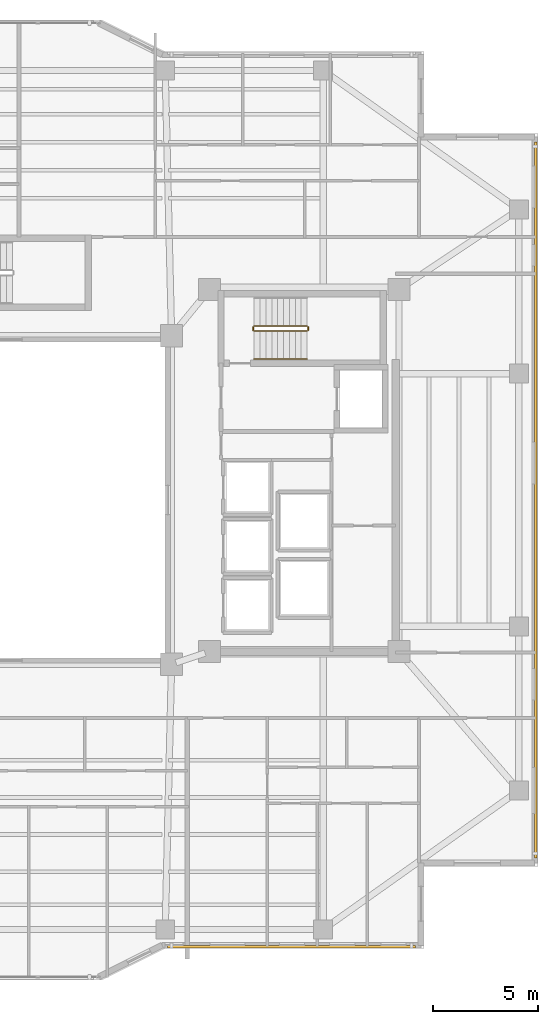
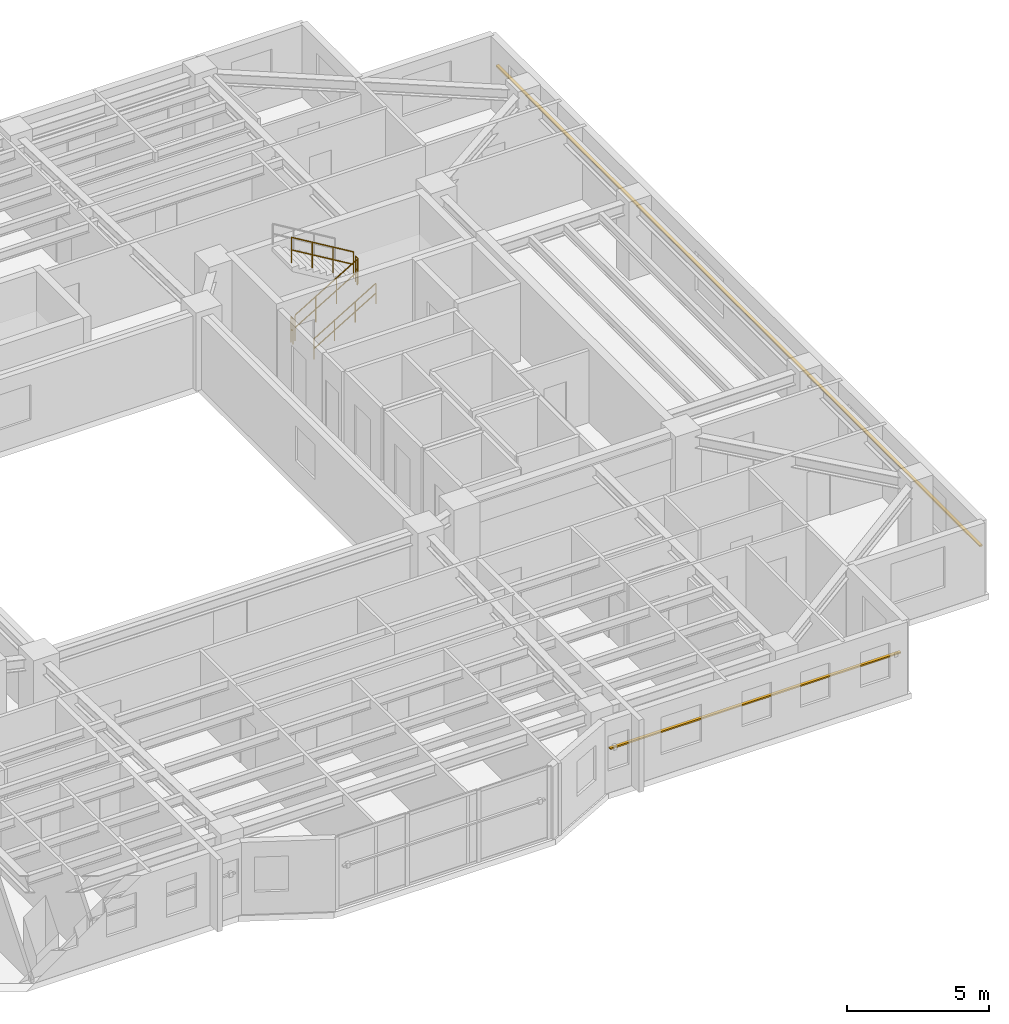
# One storey, part 15 of 16: 5 railings, 2 shading devices.
"""IFC4 building model written with IfcOpenShell, lengths in metres."""

from ifc_helpers import new_model, si_unit, direction, frame, origin, origin_2d, place, context, subcontext, project, spatial, rectangle, circle, extrude, material, material_profile, profile_set, type_object, element, save


model = new_model("IFC4")

# Units and contexts
model_context = context("Model", 3, precision=1e-05, world=origin(), true_north=direction((0.0, 1.0)))
body_context = subcontext(model_context, "Body", "Model", "MODEL_VIEW")
ifc_project = project(units=[si_unit("LENGTHUNIT", "METRE"), si_unit("AREAUNIT", "SQUARE_METRE"), si_unit("VOLUMEUNIT", "CUBIC_METRE"), si_unit("PLANEANGLEUNIT", "RADIAN"), si_unit("MASSUNIT", "GRAM", prefix="KILO")], contexts=[model_context])

# Site, building, storey
site_placement = place(None, origin())
site = spatial("IfcSite", under=ifc_project, at=site_placement, CompositionType="ELEMENT")
building_placement = place(site_placement, origin())
building = spatial("IfcBuilding", under=site, at=building_placement, Name="Tarnavaz Court Tower", CompositionType="ELEMENT")
storey_placement = place(building_placement, frame((0.0, 0.0, 146.0)))
storey = spatial("IfcBuildingStorey", under=building, at=storey_placement, Name="L39", CompositionType="ELEMENT", Elevation=146.0)

# Railings
ifc_material_1 = material(Name="Brushed Stainless Steel", Category="steel")
railing_type_1 = type_object("IfcRailingType", Name="RL-HANDRAIL-900", PredefinedType="HANDRAIL", material=ifc_material_1)
railing_1_placement = place(storey_placement, frame((11.719970703125, 6.699951171875, 0.16748046875)))
element("IfcRailing", 1, at=railing_1_placement, inside=storey, type_object=railing_type_1, Name="L39 ST-E1 stair handrail 1", PredefinedType="HANDRAIL", context=body_context, shape_type="SweptSolid", body=[
    extrude(circle(Radius=0.02392578125, at=origin_2d()), frame((0.0, 0.0, 0.8759765625), z_axis=(0.858159760407, 0.0, 0.513382728203), x_axis=(0.0, 1.0, 0.0)), (0.0, 0.0, 1.0), 2.9365234375),
    extrude(circle(Radius=0.02392578125, at=origin_2d()), frame((0.0, 0.0, 0.449951171875), z_axis=(0.858159760407, 0.0, 0.513382728203), x_axis=(0.0, 1.0, 0.0)), (0.0, 0.0, 1.0), 2.9365234375),
    extrude(circle(Radius=0.02099609375, at=origin_2d()), origin(), (0.0, 0.0, 1.0), 0.851806640625),
    extrude(circle(Radius=0.02099609375, at=origin_2d()), frame((0.840087890625, 0.0, 0.50244140625)), (0.0, 0.0, 1.0), 0.851806640625),
    extrude(circle(Radius=0.02099609375, at=origin_2d()), frame((1.679931640625, 0.0, 1.005126953125)), (0.0, 0.0, 1.0), 0.851806640625),
    extrude(circle(Radius=0.02099609375, at=origin_2d()), frame((2.52001953125, 0.0, 1.507568359375)), (0.0, 0.0, 1.0), 0.851806640625),
])
ifc_material_2 = material(Name="Galvanized Painted Tubular Steel", Category="steel")
railing_type_2 = type_object("IfcRailingType", Name="RL-STGUARD-1120", PredefinedType="GUARDRAIL", material=ifc_material_2)
railing_2_placement = place(storey_placement, frame((11.719970703125, 8.02001953125, 0.16748046875)))
element("IfcRailing", 2, at=railing_2_placement, inside=storey, type_object=railing_type_2, Name="L39 ST-E1 stair guard 1", PredefinedType="GUARDRAIL", context=body_context, shape_type="SweptSolid", body=[
    extrude(circle(Radius=0.02392578125, at=origin_2d()), frame((0.0, 0.0, 1.09619140625), z_axis=(0.858159760407, 0.0, 0.513382728203), x_axis=(0.0, 1.0, 0.0)), (0.0, 0.0, 1.0), 2.9365234375),
    extrude(circle(Radius=0.02392578125, at=origin_2d()), frame((0.0, 0.0, 0.56005859375), z_axis=(0.858159760407, 0.0, 0.513382728203), x_axis=(0.0, 1.0, 0.0)), (0.0, 0.0, 1.0), 2.9365234375),
    extrude(circle(Radius=0.02099609375, at=origin_2d()), origin(), (0.0, 0.0, 1.0), 1.072021484375),
    extrude(circle(Radius=0.02099609375, at=origin_2d()), frame((0.840087890625, 0.0, 0.50244140625)), (0.0, 0.0, 1.0), 1.072021484375),
    extrude(circle(Radius=0.02099609375, at=origin_2d()), frame((1.679931640625, 0.0, 1.005126953125)), (0.0, 0.0, 1.0), 1.072021484375),
    extrude(circle(Radius=0.02099609375, at=origin_2d()), frame((2.52001953125, 0.0, 1.507568359375)), (0.0, 0.0, 1.0), 1.072021484375),
])
railing_3_placement = place(storey_placement, frame((14.2900390625, 8.070068359375, 1.675048828125)))
element("IfcRailing", 3, at=railing_3_placement, inside=storey, type_object=railing_type_2, Name="L39 ST-E1 stair guard 2", PredefinedType="GUARDRAIL", context=body_context, shape_type="SweptSolid", body=[
    extrude(circle(Radius=0.02392578125, at=origin_2d()), frame((0.0, 0.0, 1.09619140625), z_axis=(0.0, 1.0, 0.0), x_axis=(-1.0, 0.0, 0.0)), (0.0, 0.0, 1.0), 0.14990234375),
    extrude(circle(Radius=0.02392578125, at=origin_2d()), frame((0.0, 0.0, 0.56005859375), z_axis=(0.0, 1.0, 0.0), x_axis=(-1.0, 0.0, 0.0)), (0.0, 0.0, 1.0), 0.14990234375),
    extrude(circle(Radius=0.02099609375, at=origin_2d()), origin(), (0.0, 0.0, 1.0), 1.072021484375),
    extrude(circle(Radius=0.02099609375, at=origin_2d()), frame((0.0, 0.14990234375, 0.0)), (0.0, 0.0, 1.0), 1.072021484375),
])
railing_4_placement = place(storey_placement, frame((14.239990234375, 8.27001953125, 1.842529296875)))
element("IfcRailing", 4, at=railing_4_placement, inside=storey, type_object=railing_type_2, Name="L39 ST-E1 stair guard 3", PredefinedType="GUARDRAIL", context=body_context, shape_type="SweptSolid", body=[
    extrude(circle(Radius=0.02392578125, at=origin_2d()), frame((0.0, 0.0, 1.09619140625), z_axis=(-0.858159760407, 0.0, 0.513382728203), x_axis=(0.0, -1.0, 0.0)), (0.0, 0.0, 1.0), 2.9365234375),
    extrude(circle(Radius=0.02392578125, at=origin_2d()), frame((0.0, 0.0, 0.56005859375), z_axis=(-0.858159760407, 0.0, 0.513382728203), x_axis=(0.0, -1.0, 0.0)), (0.0, 0.0, 1.0), 2.9365234375),
    extrude(circle(Radius=0.02099609375, at=origin_2d()), origin(), (0.0, 0.0, 1.0), 1.072021484375),
    extrude(circle(Radius=0.02099609375, at=origin_2d()), frame((-0.840087890625, 0.0, 0.50244140625)), (0.0, 0.0, 1.0), 1.072021484375),
    extrude(circle(Radius=0.02099609375, at=origin_2d()), frame((-1.679931640625, 0.0, 1.005126953125)), (0.0, 0.0, 1.0), 1.072021484375),
    extrude(circle(Radius=0.02099609375, at=origin_2d()), frame((-2.52001953125, 0.0, 1.507568359375)), (0.0, 0.0, 1.0), 1.072021484375),
])
railing_5_placement = place(storey_placement, frame((11.669921875, 8.070068359375, 0.0)))
element("IfcRailing", 5, at=railing_5_placement, inside=storey, type_object=railing_type_2, Name="L39 ST-E1 stair guard 4", PredefinedType="GUARDRAIL", context=body_context, shape_type="SweptSolid", body=[
    extrude(circle(Radius=0.02392578125, at=origin_2d()), frame((0.0, 0.0, 1.09619140625), z_axis=(0.0, 1.0, 0.0), x_axis=(-1.0, 0.0, 0.0)), (0.0, 0.0, 1.0), 0.14990234375),
    extrude(circle(Radius=0.02392578125, at=origin_2d()), frame((0.0, 0.0, 0.56005859375), z_axis=(0.0, 1.0, 0.0), x_axis=(-1.0, 0.0, 0.0)), (0.0, 0.0, 1.0), 0.14990234375),
    extrude(circle(Radius=0.02099609375, at=origin_2d()), origin(), (0.0, 0.0, 1.0), 1.072021484375),
    extrude(circle(Radius=0.02099609375, at=origin_2d()), frame((0.0, 0.14990234375, 0.0)), (0.0, 0.0, 1.0), 1.072021484375),
])

# Shading devices
ifc_material_3 = material(Name="Kiln-Fired Khorasan Terracotta Ceramic", Category="masonry")
ifc_material_profile = material_profile(ifc_material_3, rectangle(XDim=0.1201171875, YDim=0.06005859375, at=origin_2d()), Name="TC BAGUETTE 120X60")
ifc_profile_set = profile_set([ifc_material_profile], Name="Kiln-Fired Khorasan Terracotta Ceramic")
shading_device_type = type_object("IfcShadingDeviceType", Name="SD-BAG-120", PredefinedType="USERDEFINED", material=ifc_profile_set)
shading_device_1_placement = place(storey_placement, frame((25.110107421875, 17.0, 1.85009765625), z_axis=(0.0, -1.0, 0.0), x_axis=(1.0, 0.0, 0.0)))
element("IfcShadingDevice", 6, at=shading_device_1_placement, inside=storey, type_object=shading_device_type, Name="L39 Terracotta Baguette Screen FBG12", ObjectType="BAGUETTE", PredefinedType="USERDEFINED", context=body_context, shape_type="SweptSolid", body=[
    extrude(rectangle(XDim=0.1201171875, YDim=0.06005859375, at=origin_2d()), origin(), (0.0, 0.0, 1.0), 34.0),
])
shading_device_2_placement = place(storey_placement, frame((19.39990234375, -21.2099609375, 1.85009765625), z_axis=(-1.0, 0.0, 0.0), x_axis=(0.0, -1.0, 0.0)))
element("IfcShadingDevice", 7, at=shading_device_2_placement, inside=storey, type_object=shading_device_type, Name="L39 Terracotta Baguette Screen FBG15", ObjectType="BAGUETTE", PredefinedType="USERDEFINED", context=body_context, shape_type="SweptSolid", body=[
    extrude(rectangle(XDim=0.1201171875, YDim=0.06005859375, at=origin_2d()), origin(), (0.0, 0.0, 1.0), 11.7998046875),
])

save(model, "model.ifc")
